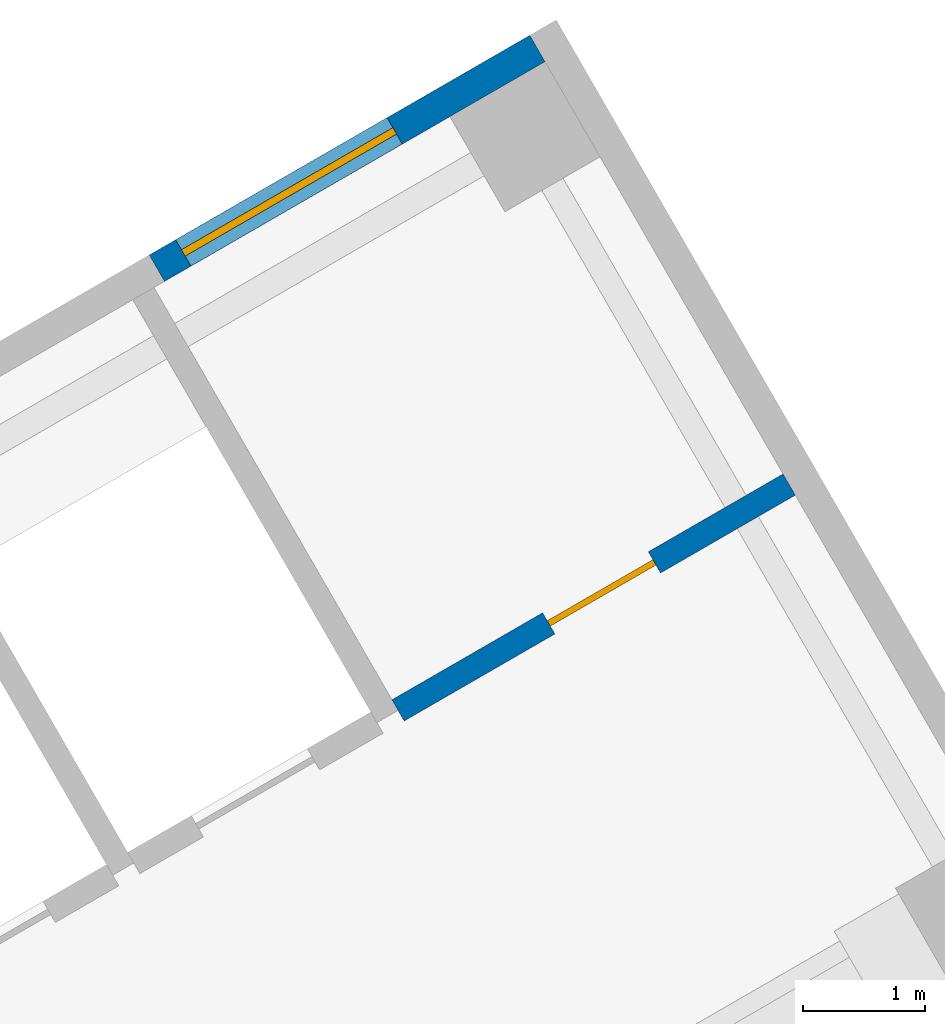
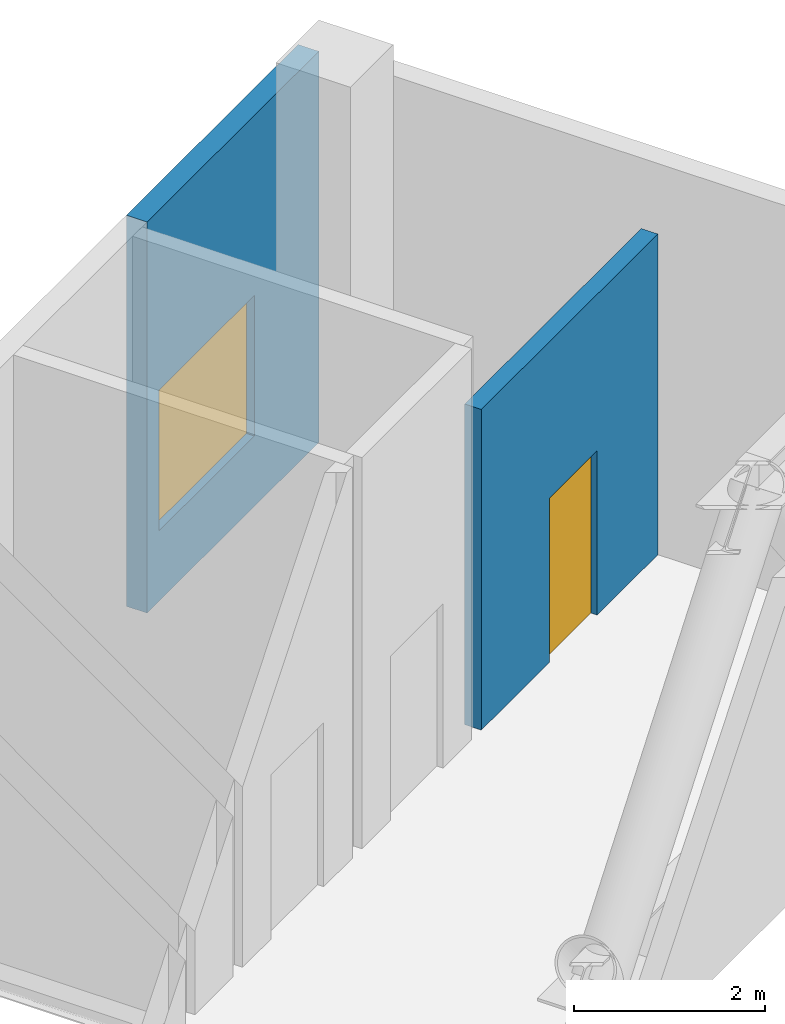
# One storey, part 22 of 37: 2 walls, 1 door, 1 window, 2 openings.
"""IFC4 building model written with IfcOpenShell, lengths in metres."""

from ifc_helpers import new_model, si_unit, direction, frame, frame_2d, origin, place, context, subcontext, project, spatial, rectangle, extrude, material, layer, layer_set, type_object, element, fill, save


model = new_model("IFC4")

# Units and contexts
model_context = context("Model", 3, precision=1e-05, world=origin(), true_north=direction((0.0, 1.0)))
body_context = subcontext(model_context, "Body", "Model", "MODEL_VIEW")
ifc_project = project(units=[si_unit("LENGTHUNIT", "METRE"), si_unit("AREAUNIT", "SQUARE_METRE"), si_unit("VOLUMEUNIT", "CUBIC_METRE"), si_unit("PLANEANGLEUNIT", "RADIAN"), si_unit("MASSUNIT", "GRAM", prefix="KILO")], contexts=[model_context])

# Site, building, storey
site_placement = place(None, origin())
site = spatial("IfcSite", under=ifc_project, at=site_placement, CompositionType="ELEMENT")
building_placement = place(site_placement, origin())
building = spatial("IfcBuilding", under=site, at=building_placement, Name="Mestral Congress Tower", CompositionType="ELEMENT")
storey_placement = place(building_placement, frame((0.0, 0.0, 16.199951171875)))
storey = spatial("IfcBuildingStorey", under=building, at=storey_placement, Name="L03", CompositionType="ELEMENT", Elevation=16.199951171875)

# Wall, opening, window
ifc_material_1 = material(Name="Precast concrete C40/50 with limestone facing", Category="masonry")
ifc_layer_1 = layer(ifc_material_1, 0.25)
ifc_layer_set_1 = layer_set([ifc_layer_1], Name="Precast concrete C40/50 with limestone facing")
wall_type_1 = type_object("IfcWallType", Name="Podium external wall 250", PredefinedType="SOLIDWALL", material=ifc_layer_set_1)
wall_1_placement = place(storey_placement, frame((40.751708984375, 69.57177734375, 0.0), z_axis=(0.0, 0.0, 1.0), x_axis=(0.866018442252, 0.500012057535, 0.0)))
wall_1 = element("IfcWall", 1, at=wall_1_placement, inside=storey, type_object=wall_type_1, Name="L03 external wall", PredefinedType="SOLIDWALL", context=body_context, shape_type="SweptSolid", body=[
    extrude(rectangle(XDim=3.60009765625, YDim=0.25, at=frame_2d((1.800048828125, 0.0))), origin(), (0.0, 0.0, 1.0), 5.0),
])
opening_1_placement = place(wall_1_placement, frame((0.25, 0.0, 0.89990234375)))
opening_1 = element("IfcOpeningElement", 2, at=opening_1_placement, cuts=wall_1, Name="Opening PW-2000x1800", PredefinedType="OPENING", context=body_context, shape_type="SweptSolid", body=[
    extrude(rectangle(XDim=2.0, YDim=1.800048828125, at=frame_2d((1.0, 0.89990234375))), frame((0.0, 0.135009765625, 0.0), z_axis=(0.0, -1.0, 0.0), x_axis=(1.0, 0.0, 0.0)), (0.0, 0.0, 1.0), 0.27001953125),
])
ifc_material_2 = material(Name="Aluminium frame, clear double glazing", Category="aluminium")
window_type = type_object("IfcWindowType", Name="Podium window 2000x1800 sill 900", PartitioningType="SINGLE_PANEL", PredefinedType="WINDOW", material=ifc_material_2)
window_placement = place(opening_1_placement, origin())
window = element("IfcWindow", 3, at=window_placement, inside=storey, type_object=window_type, Name="Window", OverallHeight=1.800048828125, OverallWidth=2.0, PartitioningType="SINGLE_PANEL", PredefinedType="WINDOW", context=body_context, shape_type="SweptSolid", body=[
    extrude(rectangle(XDim=2.0, YDim=1.800048828125, at=frame_2d((1.0, 0.89990234375))), frame((0.0, 0.030029296875, 0.0), z_axis=(0.0, -1.0, 0.0), x_axis=(1.0, 0.0, 0.0)), (0.0, 0.0, 1.0), 0.06005859375),
])
fill(opening_1, window)

# Wall, opening, door
ifc_material_3 = material(Name="Fire-rated board partition")
ifc_layer_2 = layer(ifc_material_3, 0.199951171875)
ifc_layer_set_2 = layer_set([ifc_layer_2], Name="Fire-rated board partition")
wall_type_2 = type_object("IfcWallType", Name="Podium vestibule wall 200 EI 120", PredefinedType="PARTITIONING", material=ifc_layer_set_2)
wall_2_placement = place(storey_placement, frame((42.727783203125, 65.949462890625, 0.0), z_axis=(0.0, 0.0, 1.0), x_axis=(0.866029545028, 0.499992827086, 0.0)))
wall_2 = element("IfcWall", 4, at=wall_2_placement, inside=storey, type_object=wall_type_2, Name="L03 partition", PredefinedType="PARTITIONING", context=body_context, shape_type="SweptSolid", body=[
    extrude(rectangle(XDim=3.69970703125, YDim=0.199951171875, at=frame_2d((1.849853515625, 0.0))), origin(), (0.0, 0.0, 1.0), 4.10009765625),
])
opening_2_placement = place(wall_2_placement, frame((1.425048828125, 0.0, 0.0)))
opening_2 = element("IfcOpeningElement", 5, at=opening_2_placement, cuts=wall_2, Name="Opening P03-023", PredefinedType="OPENING", context=body_context, shape_type="SweptSolid", body=[
    extrude(rectangle(XDim=1.0, YDim=2.10009765625, at=frame_2d((0.5, 1.050048828125))), frame((0.0, 0.10986328125, 0.0), z_axis=(0.0, -1.0, 0.0), x_axis=(1.0, 0.0, 0.0)), (0.0, 0.0, 1.0), 0.219970703125),
])
ifc_material_4 = material(Name="Fire-rated steel door set", Category="steel")
door_type = type_object("IfcDoorType", Name="Podium room door 1000x2100 EI2 30-C5", OperationType="SINGLE_SWING_LEFT", PredefinedType="DOOR", material=ifc_material_4)
door_placement = place(opening_2_placement, origin())
door = element("IfcDoor", 6, at=door_placement, inside=storey, type_object=door_type, Name="Door P03-023", OperationType="SINGLE_SWING_LEFT", OverallHeight=2.10009765625, OverallWidth=1.0, PredefinedType="DOOR", context=body_context, shape_type="SweptSolid", body=[
    extrude(rectangle(XDim=1.0, YDim=2.10009765625, at=frame_2d((0.5, 1.050048828125))), frame((0.0, 0.02490234375, 0.0), z_axis=(0.0, -1.0, 0.0), x_axis=(1.0, 0.0, 0.0)), (0.0, 0.0, 1.0), 0.050048828125),
])
fill(opening_2, door)

save(model, "model.ifc")
